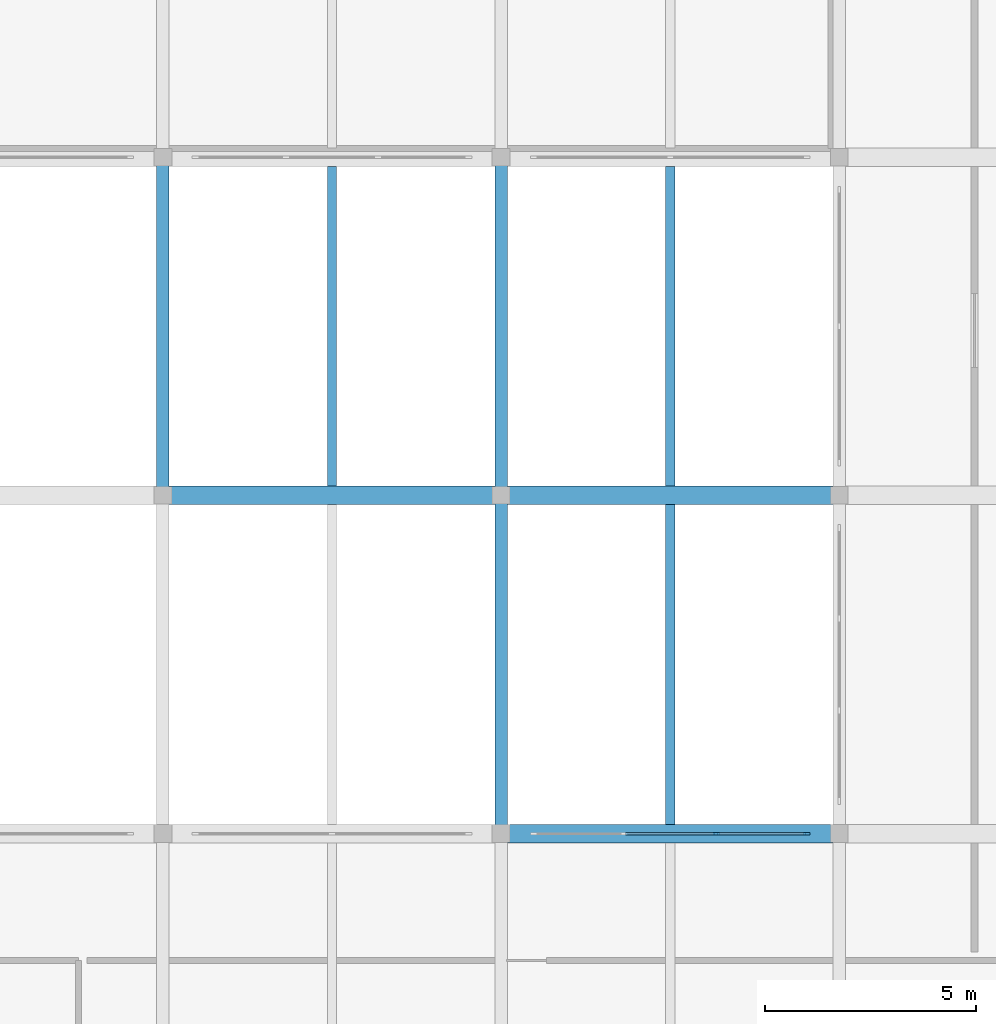
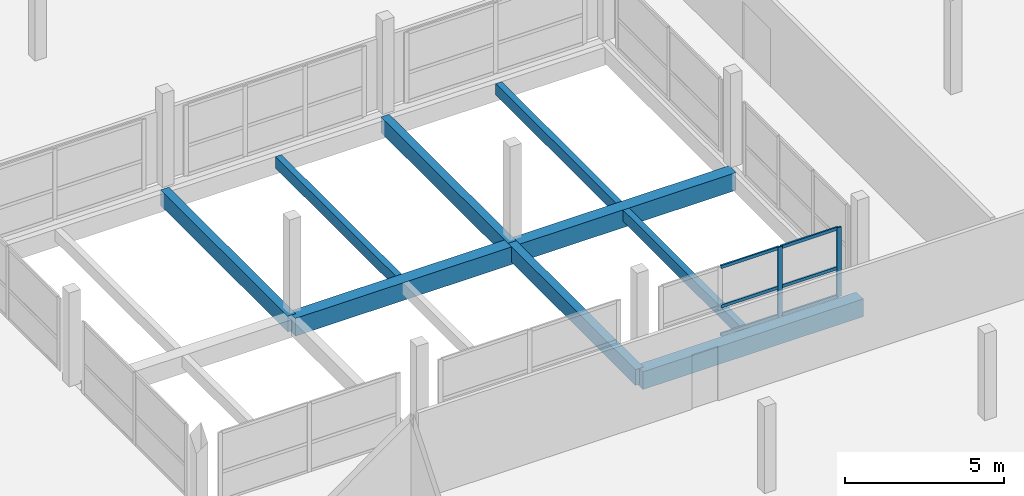
# One storey, part 8 of 51: 9 beams, 8 members, 1 element without a shape of its own.
"""IFC4 building model written with IfcOpenShell, lengths in metres."""

from ifc_helpers import new_model, si_unit, direction, frame, origin, origin_2d, place, context, subcontext, project, spatial, rectangle, extrude, material, material_profile, profile_set, type_object, element, aggregate, save


model = new_model("IFC4")

# Units and contexts
model_context = context("Model", 3, precision=1e-05, world=origin(), true_north=direction((0.0, 1.0)))
body_context = subcontext(model_context, "Body", "Model", "MODEL_VIEW")
ifc_project = project(units=[si_unit("LENGTHUNIT", "METRE"), si_unit("AREAUNIT", "SQUARE_METRE"), si_unit("VOLUMEUNIT", "CUBIC_METRE"), si_unit("PLANEANGLEUNIT", "RADIAN"), si_unit("MASSUNIT", "GRAM", prefix="KILO")], contexts=[model_context])

# Site, building, storey
site_placement = place(None, origin())
site = spatial("IfcSite", under=ifc_project, at=site_placement, CompositionType="ELEMENT")
building_placement = place(site_placement, origin())
building = spatial("IfcBuilding", under=site, at=building_placement, Name="Vharandega Faculty of Natural Sciences", CompositionType="ELEMENT")
storey_placement = place(building_placement, frame((0.0, 0.0, 14.39990234375)))
storey = spatial("IfcBuildingStorey", under=building, at=storey_placement, Name="L03", CompositionType="ELEMENT", Elevation=14.39990234375)

# Curtain wall, members
ifc_material_1 = material(Name="Aluminium and solar-control glass curtain wall", Category="aluminium")
curtain_wall_type = type_object("IfcCurtainWallType", Name="Unitised Curtain Wall System CW-26", PredefinedType="NOTDEFINED", material=ifc_material_1)
curtain_wall_placement = place(storey_placement, origin())
curtain_wall = element("IfcCurtainWall", 1, at=curtain_wall_placement, inside=storey, type_object=curtain_wall_type, Name="Curtain Wall CW-L03-165", PredefinedType="NOTDEFINED")
ifc_material_2 = material(Name="Thermally broken aluminium 6063-T6", Category="aluminium")
ifc_material_profile_1 = material_profile(ifc_material_2, rectangle(XDim=0.06005859375, YDim=0.159912109375, at=origin_2d()), Name="ALU 60x160")
ifc_profile_set_1 = profile_set([ifc_material_profile_1], Name="Thermally broken aluminium 6063-T6")
member_type_1 = type_object("IfcMemberType", Name="CW Mullion 60x160", PredefinedType="MULLION", material=ifc_profile_set_1)
member_1_placement = place(storey_placement, frame((29.086669921875, 16.0, 0.0), z_axis=(0.0, 0.0, 1.0), x_axis=(0.0, 1.0, 0.0)))
member_1 = element("IfcMember", 2, at=member_1_placement, type_object=member_type_1, Name="CW-26 mullion 3", PredefinedType="MULLION", context=body_context, shape_type="SweptSolid", body=[
    extrude(rectangle(XDim=0.06005859375, YDim=0.159912109375, at=origin_2d()), origin(), (0.0, 0.0, 1.0), 2.66015625),
])
member_2_placement = place(storey_placement, frame((31.22998046875, 16.0, 0.0), z_axis=(0.0, 0.0, 1.0), x_axis=(0.0, 1.0, 0.0)))
member_2 = element("IfcMember", 3, at=member_2_placement, type_object=member_type_1, Name="CW-26 mullion 4", PredefinedType="MULLION", context=body_context, shape_type="SweptSolid", body=[
    extrude(rectangle(XDim=0.06005859375, YDim=0.159912109375, at=origin_2d()), origin(), (0.0, 0.0, 1.0), 2.66015625),
])
ifc_material_3 = material(Name="Thermally broken aluminium 6063-T6", Category="aluminium")
ifc_material_profile_2 = material_profile(ifc_material_3, rectangle(XDim=0.06005859375, YDim=0.1201171875, at=origin_2d()), Name="ALU 60x120")
ifc_profile_set_2 = profile_set([ifc_material_profile_2], Name="Thermally broken aluminium 6063-T6")
member_type_2 = type_object("IfcMemberType", Name="CW Transom 60x120", PredefinedType="USERDEFINED", material=ifc_profile_set_2)
member_3_placement = place(storey_placement, frame((26.943359375, 16.0, 0.030029296875), z_axis=(1.0, 0.0, 0.0), x_axis=(0.0, 1.0, 0.0)))
member_3 = element("IfcMember", 4, at=member_3_placement, type_object=member_type_2, Name="CW-26 transom 2.1", ObjectType="TRANSOM", PredefinedType="USERDEFINED", context=body_context, shape_type="SweptSolid", body=[
    extrude(rectangle(XDim=0.06005859375, YDim=0.1201171875, at=origin_2d()), origin(), (0.0, 0.0, 1.0), 2.11328125),
])
member_4_placement = place(storey_placement, frame((26.943359375, 16.0, 1.1171875), z_axis=(1.0, 0.0, 0.0), x_axis=(0.0, 1.0, 0.0)))
member_4 = element("IfcMember", 5, at=member_4_placement, type_object=member_type_2, Name="CW-26 transom 2.2", ObjectType="TRANSOM", PredefinedType="USERDEFINED", context=body_context, shape_type="SweptSolid", body=[
    extrude(rectangle(XDim=0.06005859375, YDim=0.1201171875, at=origin_2d()), origin(), (0.0, 0.0, 1.0), 2.11328125),
])
member_5_placement = place(storey_placement, frame((26.943359375, 16.0, 2.630126953125), z_axis=(1.0, 0.0, 0.0), x_axis=(0.0, 1.0, 0.0)))
member_5 = element("IfcMember", 6, at=member_5_placement, type_object=member_type_2, Name="CW-26 transom 2.3", ObjectType="TRANSOM", PredefinedType="USERDEFINED", context=body_context, shape_type="SweptSolid", body=[
    extrude(rectangle(XDim=0.06005859375, YDim=0.1201171875, at=origin_2d()), origin(), (0.0, 0.0, 1.0), 2.11328125),
])
member_6_placement = place(storey_placement, frame((29.11669921875, 16.0, 0.030029296875), z_axis=(1.0, 0.0, 0.0), x_axis=(0.0, 1.0, 0.0)))
member_6 = element("IfcMember", 7, at=member_6_placement, type_object=member_type_2, Name="CW-26 transom 3.1", ObjectType="TRANSOM", PredefinedType="USERDEFINED", context=body_context, shape_type="SweptSolid", body=[
    extrude(rectangle(XDim=0.06005859375, YDim=0.1201171875, at=origin_2d()), origin(), (0.0, 0.0, 1.0), 2.083251953125),
])
member_7_placement = place(storey_placement, frame((29.11669921875, 16.0, 1.1171875), z_axis=(1.0, 0.0, 0.0), x_axis=(0.0, 1.0, 0.0)))
member_7 = element("IfcMember", 8, at=member_7_placement, type_object=member_type_2, Name="CW-26 transom 3.2", ObjectType="TRANSOM", PredefinedType="USERDEFINED", context=body_context, shape_type="SweptSolid", body=[
    extrude(rectangle(XDim=0.06005859375, YDim=0.1201171875, at=origin_2d()), origin(), (0.0, 0.0, 1.0), 2.083251953125),
])
member_8_placement = place(storey_placement, frame((29.11669921875, 16.0, 2.630126953125), z_axis=(1.0, 0.0, 0.0), x_axis=(0.0, 1.0, 0.0)))
member_8 = element("IfcMember", 9, at=member_8_placement, type_object=member_type_2, Name="CW-26 transom 3.3", ObjectType="TRANSOM", PredefinedType="USERDEFINED", context=body_context, shape_type="SweptSolid", body=[
    extrude(rectangle(XDim=0.06005859375, YDim=0.1201171875, at=origin_2d()), origin(), (0.0, 0.0, 1.0), 2.083251953125),
])
aggregate(curtain_wall, [member_1, member_2, member_3, member_4, member_5, member_6, member_7, member_8])

# Beams
ifc_material_4 = material(Name="Glulam GL28h", Category="wood")
ifc_material_profile_3 = material_profile(ifc_material_4, rectangle(XDim=0.300048828125, YDim=0.60009765625, at=origin_2d()), Name="GL28h 300x600")
ifc_profile_set_3 = profile_set([ifc_material_profile_3], Name="Glulam GL28h")
beam_type_1 = type_object("IfcBeamType", Name="Glulam Floor Beam 300x600", PredefinedType="BEAM", material=ifc_profile_set_3)
for number, where, z_axis, x_axis, name in (
    (10, (16.0, 24.0, -0.539794921875), (0.0, 1.0, 0.0), (-1.0, 0.0, 0.0), "Beam L03 3/D-E"),
    (11, (24.0, 16.0, -0.539794921875), (0.0, 1.0, 0.0), (-1.0, 0.0, 0.0), "Beam L03 4/C-D"),
    (12, (24.0, 24.0, -0.539794921875), (0.0, 1.0, 0.0), (-1.0, 0.0, 0.0), "Beam L03 4/D-E"),
):
    element("IfcBeam", number, at=place(storey_placement, frame(where, z_axis=z_axis, x_axis=x_axis)), inside=storey, type_object=beam_type_1, Name=name, PredefinedType="BEAM", context=body_context, shape_type="SweptSolid", body=[
        extrude(rectangle(XDim=0.300048828125, YDim=0.60009765625, at=origin_2d()), origin(), (0.0, 0.0, 1.0), 8.0),
    ])
ifc_material_5 = material(Name="Glulam GL32h", Category="wood")
ifc_material_profile_4 = material_profile(ifc_material_5, rectangle(XDim=0.43994140625, YDim=0.679931640625, at=origin_2d()), Name="GL32h 440x680")
ifc_profile_set_4 = profile_set([ifc_material_profile_4], Name="Glulam GL32h")
beam_type_2 = type_object("IfcBeamType", Name="Glulam Girder 440x680", PredefinedType="BEAM", material=ifc_profile_set_4)
for number, where, z_axis, x_axis, name in (
    (13, (24.0, 16.0, -0.579833984375), (1.0, 0.0, 0.0), (0.0, 1.0, 0.0), "Beam L03 C/4-5"),
    (14, (16.0, 24.0, -0.579833984375), (1.0, 0.0, 0.0), (0.0, 1.0, 0.0), "Beam L03 D/3-4"),
    (15, (24.0, 24.0, -0.579833984375), (1.0, 0.0, 0.0), (0.0, 1.0, 0.0), "Beam L03 D/4-5"),
):
    element("IfcBeam", number, at=place(storey_placement, frame(where, z_axis=z_axis, x_axis=x_axis)), inside=storey, type_object=beam_type_2, Name=name, PredefinedType="BEAM", context=body_context, shape_type="SweptSolid", body=[
        extrude(rectangle(XDim=0.43994140625, YDim=0.679931640625, at=origin_2d()), origin(), (0.0, 0.0, 1.0), 8.0),
    ])
ifc_material_6 = material(Name="Glulam GL28h", Category="wood")
ifc_material_profile_5 = material_profile(ifc_material_6, rectangle(XDim=0.219970703125, YDim=0.43994140625, at=origin_2d()), Name="GL28h 220x440")
ifc_profile_set_5 = profile_set([ifc_material_profile_5], Name="Glulam GL28h")
beam_type_3 = type_object("IfcBeamType", Name="Glulam Secondary Joist 220x440", PredefinedType="JOIST", material=ifc_profile_set_5)
for number, where, z_axis, x_axis, name in (
    (16, (20.0, 24.219970703125, -0.4599609375), (0.0, 1.0, 0.0), (-1.0, 0.0, 0.0), "Secondary Joist L03 3-4/D-E"),
    (17, (28.0, 16.219970703125, -0.4599609375), (0.0, 1.0, 0.0), (-1.0, 0.0, 0.0), "Secondary Joist L03 4-5/C-D"),
    (18, (28.0, 24.219970703125, -0.4599609375), (0.0, 1.0, 0.0), (-1.0, 0.0, 0.0), "Secondary Joist L03 4-5/D-E"),
):
    element("IfcBeam", number, at=place(storey_placement, frame(where, z_axis=z_axis, x_axis=x_axis)), inside=storey, type_object=beam_type_3, Name=name, PredefinedType="JOIST", context=body_context, shape_type="SweptSolid", body=[
        extrude(rectangle(XDim=0.219970703125, YDim=0.43994140625, at=origin_2d()), origin(), (0.0, 0.0, 1.0), 7.56005859375),
    ])

save(model, "model.ifc")
